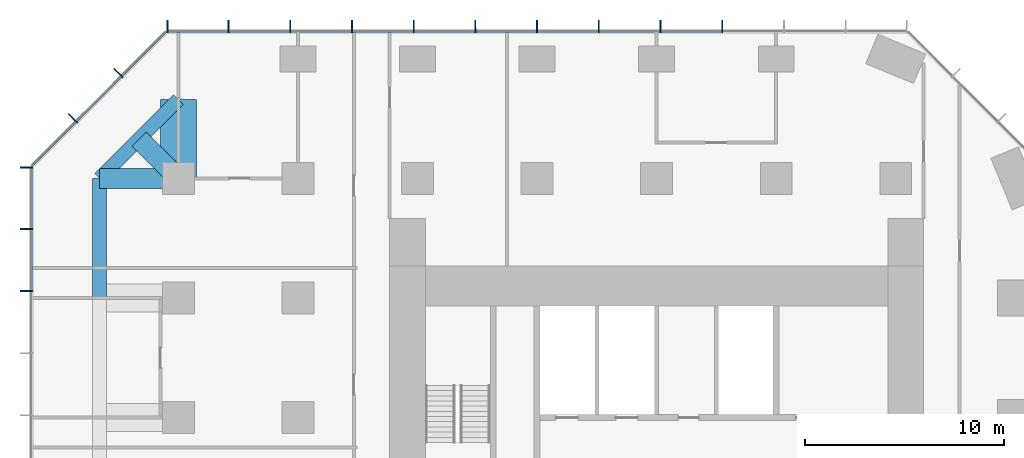
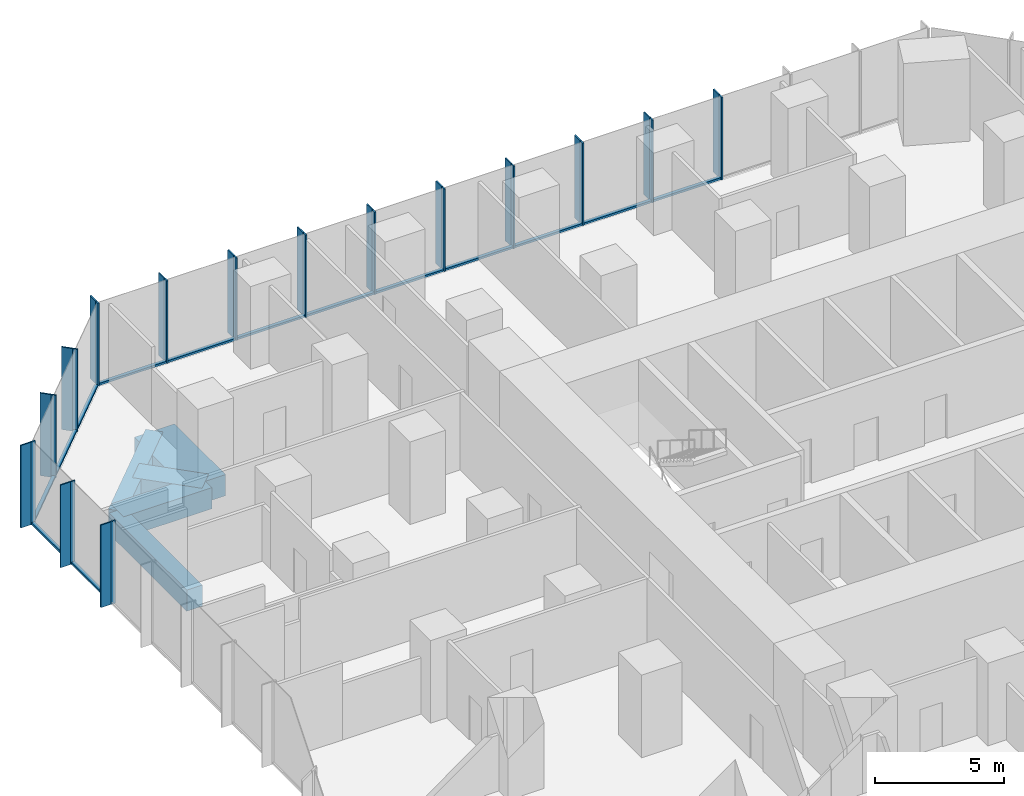
# One storey, part 5 of 11: 44 members, 5 beams, 3 elements without a shape of their own.
"""IFC4 building model written with IfcOpenShell, lengths in metres."""

from ifc_helpers import new_model, si_unit, direction, frame, origin, origin_2d, place, context, subcontext, project, spatial, rectangle, extrude, material, layer, layer_set, material_profile, profile_set, type_object, element, aggregate, save


model = new_model("IFC4")

# Units and contexts
model_context = context("Model", 3, precision=1e-05, world=origin(), true_north=direction((0.0, 1.0)))
body_context = subcontext(model_context, "Body", "Model", "MODEL_VIEW")
ifc_project = project(units=[si_unit("LENGTHUNIT", "METRE"), si_unit("AREAUNIT", "SQUARE_METRE"), si_unit("VOLUMEUNIT", "CUBIC_METRE"), si_unit("PLANEANGLEUNIT", "RADIAN"), si_unit("MASSUNIT", "GRAM", prefix="KILO")], contexts=[model_context])

# Site, building, storey
site_placement = place(None, origin())
site = spatial("IfcSite", under=ifc_project, at=site_placement, CompositionType="ELEMENT")
building_placement = place(site_placement, origin())
building = spatial("IfcBuilding", under=site, at=building_placement, Name="Highveld Stack Headquarters", CompositionType="ELEMENT")
storey_placement = place(building_placement, frame((0.0, 0.0, 125.0)))
storey = spatial("IfcBuildingStorey", under=building, at=storey_placement, Name="L30", CompositionType="ELEMENT", Elevation=125.0)

# Beams
ifc_material_1 = material(Name="Concrete C60/75", Category="concrete")
ifc_material_profile_1 = material_profile(ifc_material_1, rectangle(XDim=1.0, YDim=1.0, at=origin_2d()), Name="RC 1000x1000")
ifc_profile_set_1 = profile_set([ifc_material_profile_1], Name="Concrete C60/75")
beam_type_1 = type_object("IfcBeamType", Name="CANTILEVER RIB RC 1000x1000", PredefinedType="USERDEFINED", material=ifc_profile_set_1)
beam_1_placement = place(storey_placement, frame((-18.0, 18.0, -0.75), z_axis=(-1.0, 0.0, 0.0), x_axis=(0.0, -1.0, 0.0)))
element("IfcBeam", 1, at=beam_1_placement, inside=storey, type_object=beam_type_1, Name="Cantilever rib 3/H L30", ObjectType="CANTILEVER RIB", PredefinedType="USERDEFINED", context=body_context, shape_type="SweptSolid", body=[
    extrude(rectangle(XDim=1.0, YDim=1.0, at=origin_2d()), origin(), (0.0, 0.0, 1.0), 3.949951171875),
])
beam_2_placement = place(storey_placement, frame((-18.0, 18.0, -0.75), z_axis=(-0.707106781187, 0.707106781187, 0.0), x_axis=(-0.707106781187, -0.707106781187, 0.0)))
element("IfcBeam", 2, at=beam_2_placement, inside=storey, type_object=beam_type_1, Name="Cantilever rib 3/H L30", ObjectType="CANTILEVER RIB", PredefinedType="USERDEFINED", context=body_context, shape_type="SweptSolid", body=[
    extrude(rectangle(XDim=1.0, YDim=1.0, at=origin_2d()), origin(), (0.0, 0.0, 1.0), 2.793212890625),
])
ifc_material_2 = material(Name="Concrete C60/75", Category="concrete")
ifc_material_profile_2 = material_profile(ifc_material_2, rectangle(XDim=1.800048828125, YDim=1.0, at=origin_2d()), Name="RC 1800x1000")
ifc_profile_set_2 = profile_set([ifc_material_profile_2], Name="Concrete C60/75")
beam_type_2 = type_object("IfcBeamType", Name="CANTILEVER RIB RC 1800x1000", PredefinedType="USERDEFINED", material=ifc_profile_set_2)
beam_3_placement = place(storey_placement, frame((-18.0, 18.0, -0.75), z_axis=(0.0, 1.0, 0.0), x_axis=(-1.0, 0.0, 0.0)))
element("IfcBeam", 3, at=beam_3_placement, inside=storey, type_object=beam_type_2, Name="Cantilever rib 3/H L30", ObjectType="CANTILEVER RIB", PredefinedType="USERDEFINED", context=body_context, shape_type="SweptSolid", body=[
    extrude(rectangle(XDim=1.800048828125, YDim=1.0, at=origin_2d()), origin(), (0.0, 0.0, 1.0), 3.949951171875),
])

# Curtain wall, members
ifc_material_3 = material(Name="Aluminium bronze anodised", Category="aluminium")
ifc_layer_1 = layer(ifc_material_3, 0.199951171875)
ifc_layer_set_1 = layer_set([ifc_layer_1], Name="Aluminium bronze anodised")
curtain_wall_type_1 = type_object("IfcCurtainWallType", Name="CW1 TOWER UNITISED CURTAIN WALL", PredefinedType="NOTDEFINED", material=ifc_layer_set_1)
curtain_wall_1_placement = place(storey_placement, origin())
curtain_wall_1 = element("IfcCurtainWall", 4, at=curtain_wall_1_placement, inside=storey, type_object=curtain_wall_type_1, Name="Curtain wall CW1 L30 N", PredefinedType="NOTDEFINED")
ifc_material_4 = material(Name="Aluminium bronze anodised", Category="aluminium")
ifc_material_profile_3 = material_profile(ifc_material_4, rectangle(XDim=0.449951171875, YDim=0.06005859375, at=origin_2d()), Name="FIN 450x60")
ifc_profile_set_3 = profile_set([ifc_material_profile_3], Name="Aluminium bronze anodised")
member_type_1 = type_object("IfcMemberType", Name="CW1 BRONZE FIN 450x60", PredefinedType="USERDEFINED", material=ifc_profile_set_3)
member_1_placement = place(storey_placement, frame((9.289794921875, 25.72509765625, 0.0), z_axis=(0.0, 0.0, 1.0), x_axis=(0.0, -1.0, 0.0)))
member_1 = element("IfcMember", 5, at=member_1_placement, type_object=member_type_1, Name="CW1 fin L30 4", ObjectType="FIN", PredefinedType="USERDEFINED", context=body_context, shape_type="SweptSolid", body=[
    extrude(rectangle(XDim=0.449951171875, YDim=0.06005859375, at=origin_2d()), origin(), (0.0, 0.0, 1.0), 3.89990234375),
])
member_2_placement = place(storey_placement, frame((6.193359375, 25.72509765625, 0.0), z_axis=(0.0, 0.0, 1.0), x_axis=(0.0, -1.0, 0.0)))
member_2 = element("IfcMember", 6, at=member_2_placement, type_object=member_type_1, Name="CW1 fin L30 5", ObjectType="FIN", PredefinedType="USERDEFINED", context=body_context, shape_type="SweptSolid", body=[
    extrude(rectangle(XDim=0.449951171875, YDim=0.06005859375, at=origin_2d()), origin(), (0.0, 0.0, 1.0), 3.89990234375),
])
member_3_placement = place(storey_placement, frame((3.0966796875, 25.72509765625, 0.0), z_axis=(0.0, 0.0, 1.0), x_axis=(0.0, -1.0, 0.0)))
member_3 = element("IfcMember", 7, at=member_3_placement, type_object=member_type_1, Name="CW1 fin L30 6", ObjectType="FIN", PredefinedType="USERDEFINED", context=body_context, shape_type="SweptSolid", body=[
    extrude(rectangle(XDim=0.449951171875, YDim=0.06005859375, at=origin_2d()), origin(), (0.0, 0.0, 1.0), 3.89990234375),
])
member_4_placement = place(storey_placement, frame((0.0, 25.72509765625, 0.0), z_axis=(0.0, 0.0, 1.0), x_axis=(0.0, -1.0, 0.0)))
member_4 = element("IfcMember", 8, at=member_4_placement, type_object=member_type_1, Name="CW1 fin L30 7", ObjectType="FIN", PredefinedType="USERDEFINED", context=body_context, shape_type="SweptSolid", body=[
    extrude(rectangle(XDim=0.449951171875, YDim=0.06005859375, at=origin_2d()), origin(), (0.0, 0.0, 1.0), 3.89990234375),
])
member_5_placement = place(storey_placement, frame((-3.0966796875, 25.72509765625, 0.0), z_axis=(0.0, 0.0, 1.0), x_axis=(0.0, -1.0, 0.0)))
member_5 = element("IfcMember", 9, at=member_5_placement, type_object=member_type_1, Name="CW1 fin L30 8", ObjectType="FIN", PredefinedType="USERDEFINED", context=body_context, shape_type="SweptSolid", body=[
    extrude(rectangle(XDim=0.449951171875, YDim=0.06005859375, at=origin_2d()), origin(), (0.0, 0.0, 1.0), 3.89990234375),
])
member_6_placement = place(storey_placement, frame((-6.193359375, 25.72509765625, 0.0), z_axis=(0.0, 0.0, 1.0), x_axis=(0.0, -1.0, 0.0)))
member_6 = element("IfcMember", 10, at=member_6_placement, type_object=member_type_1, Name="CW1 fin L30 9", ObjectType="FIN", PredefinedType="USERDEFINED", context=body_context, shape_type="SweptSolid", body=[
    extrude(rectangle(XDim=0.449951171875, YDim=0.06005859375, at=origin_2d()), origin(), (0.0, 0.0, 1.0), 3.89990234375),
])
member_7_placement = place(storey_placement, frame((-9.2900390625, 25.72509765625, 0.0), z_axis=(0.0, 0.0, 1.0), x_axis=(0.0, -1.0, 0.0)))
member_7 = element("IfcMember", 11, at=member_7_placement, type_object=member_type_1, Name="CW1 fin L30 10", ObjectType="FIN", PredefinedType="USERDEFINED", context=body_context, shape_type="SweptSolid", body=[
    extrude(rectangle(XDim=0.449951171875, YDim=0.06005859375, at=origin_2d()), origin(), (0.0, 0.0, 1.0), 3.89990234375),
])
member_8_placement = place(storey_placement, frame((-12.38671875, 25.72509765625, 0.0), z_axis=(0.0, 0.0, 1.0), x_axis=(0.0, -1.0, 0.0)))
member_8 = element("IfcMember", 12, at=member_8_placement, type_object=member_type_1, Name="CW1 fin L30 11", ObjectType="FIN", PredefinedType="USERDEFINED", context=body_context, shape_type="SweptSolid", body=[
    extrude(rectangle(XDim=0.449951171875, YDim=0.06005859375, at=origin_2d()), origin(), (0.0, 0.0, 1.0), 3.89990234375),
])
member_9_placement = place(storey_placement, frame((-15.4833984375, 25.72509765625, 0.0), z_axis=(0.0, 0.0, 1.0), x_axis=(0.0, -1.0, 0.0)))
member_9 = element("IfcMember", 13, at=member_9_placement, type_object=member_type_1, Name="CW1 fin L30 12", ObjectType="FIN", PredefinedType="USERDEFINED", context=body_context, shape_type="SweptSolid", body=[
    extrude(rectangle(XDim=0.449951171875, YDim=0.06005859375, at=origin_2d()), origin(), (0.0, 0.0, 1.0), 3.89990234375),
])
member_10_placement = place(storey_placement, frame((-18.54736328125, 25.72509765625, 0.0), z_axis=(0.0, 0.0, 1.0), x_axis=(0.0, -1.0, 0.0)))
member_10 = element("IfcMember", 14, at=member_10_placement, type_object=member_type_1, Name="CW1 fin L30 13", ObjectType="FIN", PredefinedType="USERDEFINED", context=body_context, shape_type="SweptSolid", body=[
    extrude(rectangle(XDim=0.449951171875, YDim=0.06005859375, at=origin_2d()), origin(), (0.0, 0.0, 1.0), 3.89990234375),
])

curtain_wall_2_placement = place(storey_placement, origin())
curtain_wall_2 = element("IfcCurtainWall", 15, at=curtain_wall_2_placement, inside=storey, type_object=curtain_wall_type_1, Name="Curtain wall CW1 L30 W", PredefinedType="NOTDEFINED")
member_11_placement = place(storey_placement, frame((-25.72509765625, 18.54736328125, 0.0), z_axis=(0.0, 0.0, 1.0), x_axis=(1.0, 0.0, 0.0)))
member_11 = element("IfcMember", 16, at=member_11_placement, type_object=member_type_1, Name="CW1 fin L30 1", ObjectType="FIN", PredefinedType="USERDEFINED", context=body_context, shape_type="SweptSolid", body=[
    extrude(rectangle(XDim=0.449951171875, YDim=0.06005859375, at=origin_2d()), origin(), (0.0, 0.0, 1.0), 3.89990234375),
])
member_12_placement = place(storey_placement, frame((-25.72509765625, 15.4638671875, 0.0), z_axis=(0.0, 0.0, 1.0), x_axis=(1.0, 0.0, 0.0)))
member_12 = element("IfcMember", 17, at=member_12_placement, type_object=member_type_1, Name="CW1 fin L30 2", ObjectType="FIN", PredefinedType="USERDEFINED", context=body_context, shape_type="SweptSolid", body=[
    extrude(rectangle(XDim=0.449951171875, YDim=0.06005859375, at=origin_2d()), origin(), (0.0, 0.0, 1.0), 3.89990234375),
])
member_13_placement = place(storey_placement, frame((-25.72509765625, 12.347900390625, 0.0), z_axis=(0.0, 0.0, 1.0), x_axis=(1.0, 0.0, 0.0)))
member_13 = element("IfcMember", 18, at=member_13_placement, type_object=member_type_1, Name="CW1 fin L30 3", ObjectType="FIN", PredefinedType="USERDEFINED", context=body_context, shape_type="SweptSolid", body=[
    extrude(rectangle(XDim=0.449951171875, YDim=0.06005859375, at=origin_2d()), origin(), (0.0, 0.0, 1.0), 3.89990234375),
])

# Member
ifc_material_5 = material(Name="Aluminium bronze anodised", Category="aluminium")
ifc_material_profile_4 = material_profile(ifc_material_5, rectangle(XDim=0.199951171875, YDim=0.06494140625, at=origin_2d()), Name="CW1 MULLION 65x200")
ifc_profile_set_4 = profile_set([ifc_material_profile_4], Name="Aluminium bronze anodised")
member_type_2 = type_object("IfcMemberType", Name="CW1 MULLION 65x200", PredefinedType="MULLION", material=ifc_profile_set_4)
member_14_placement = place(storey_placement, frame((9.289794921875, 25.39990234375, 0.0), z_axis=(0.0, 0.0, 1.0), x_axis=(0.0, -1.0, 0.0)))
member_14 = element("IfcMember", 19, at=member_14_placement, type_object=member_type_2, Name="CW1 mullion L30 4", PredefinedType="MULLION", context=body_context, shape_type="SweptSolid", body=[
    extrude(rectangle(XDim=0.199951171875, YDim=0.06494140625, at=origin_2d()), origin(), (0.0, 0.0, 1.0), 3.89990234375),
])

member_15_placement = place(storey_placement, frame((6.193359375, 25.39990234375, 0.0), z_axis=(0.0, 0.0, 1.0), x_axis=(0.0, -1.0, 0.0)))
member_15 = element("IfcMember", 20, at=member_15_placement, type_object=member_type_2, Name="CW1 mullion L30 5", PredefinedType="MULLION", context=body_context, shape_type="SweptSolid", body=[
    extrude(rectangle(XDim=0.199951171875, YDim=0.06494140625, at=origin_2d()), origin(), (0.0, 0.0, 1.0), 3.89990234375),
])

member_16_placement = place(storey_placement, frame((3.0966796875, 25.39990234375, 0.0), z_axis=(0.0, 0.0, 1.0), x_axis=(0.0, -1.0, 0.0)))
member_16 = element("IfcMember", 21, at=member_16_placement, type_object=member_type_2, Name="CW1 mullion L30 6", PredefinedType="MULLION", context=body_context, shape_type="SweptSolid", body=[
    extrude(rectangle(XDim=0.199951171875, YDim=0.06494140625, at=origin_2d()), origin(), (0.0, 0.0, 1.0), 3.89990234375),
])

member_17_placement = place(storey_placement, frame((0.0, 25.39990234375, 0.0), z_axis=(0.0, 0.0, 1.0), x_axis=(0.0, -1.0, 0.0)))
member_17 = element("IfcMember", 22, at=member_17_placement, type_object=member_type_2, Name="CW1 mullion L30 7", PredefinedType="MULLION", context=body_context, shape_type="SweptSolid", body=[
    extrude(rectangle(XDim=0.199951171875, YDim=0.06494140625, at=origin_2d()), origin(), (0.0, 0.0, 1.0), 3.89990234375),
])

member_18_placement = place(storey_placement, frame((-3.0966796875, 25.39990234375, 0.0), z_axis=(0.0, 0.0, 1.0), x_axis=(0.0, -1.0, 0.0)))
member_18 = element("IfcMember", 23, at=member_18_placement, type_object=member_type_2, Name="CW1 mullion L30 8", PredefinedType="MULLION", context=body_context, shape_type="SweptSolid", body=[
    extrude(rectangle(XDim=0.199951171875, YDim=0.06494140625, at=origin_2d()), origin(), (0.0, 0.0, 1.0), 3.89990234375),
])

member_19_placement = place(storey_placement, frame((-6.193359375, 25.39990234375, 0.0), z_axis=(0.0, 0.0, 1.0), x_axis=(0.0, -1.0, 0.0)))
member_19 = element("IfcMember", 24, at=member_19_placement, type_object=member_type_2, Name="CW1 mullion L30 9", PredefinedType="MULLION", context=body_context, shape_type="SweptSolid", body=[
    extrude(rectangle(XDim=0.199951171875, YDim=0.06494140625, at=origin_2d()), origin(), (0.0, 0.0, 1.0), 3.89990234375),
])

member_20_placement = place(storey_placement, frame((-9.2900390625, 25.39990234375, 0.0), z_axis=(0.0, 0.0, 1.0), x_axis=(0.0, -1.0, 0.0)))
member_20 = element("IfcMember", 25, at=member_20_placement, type_object=member_type_2, Name="CW1 mullion L30 10", PredefinedType="MULLION", context=body_context, shape_type="SweptSolid", body=[
    extrude(rectangle(XDim=0.199951171875, YDim=0.06494140625, at=origin_2d()), origin(), (0.0, 0.0, 1.0), 3.89990234375),
])

member_21_placement = place(storey_placement, frame((-12.38671875, 25.39990234375, 0.0), z_axis=(0.0, 0.0, 1.0), x_axis=(0.0, -1.0, 0.0)))
member_21 = element("IfcMember", 26, at=member_21_placement, type_object=member_type_2, Name="CW1 mullion L30 11", PredefinedType="MULLION", context=body_context, shape_type="SweptSolid", body=[
    extrude(rectangle(XDim=0.199951171875, YDim=0.06494140625, at=origin_2d()), origin(), (0.0, 0.0, 1.0), 3.89990234375),
])

member_22_placement = place(storey_placement, frame((-15.4833984375, 25.39990234375, 0.0), z_axis=(0.0, 0.0, 1.0), x_axis=(0.0, -1.0, 0.0)))
member_22 = element("IfcMember", 27, at=member_22_placement, type_object=member_type_2, Name="CW1 mullion L30 12", PredefinedType="MULLION", context=body_context, shape_type="SweptSolid", body=[
    extrude(rectangle(XDim=0.199951171875, YDim=0.06494140625, at=origin_2d()), origin(), (0.0, 0.0, 1.0), 3.89990234375),
])

member_23_placement = place(storey_placement, frame((-18.54736328125, 25.39990234375, 0.0), z_axis=(0.0, 0.0, 1.0), x_axis=(0.0, -1.0, 0.0)))
member_23 = element("IfcMember", 28, at=member_23_placement, type_object=member_type_2, Name="CW1 mullion L30 13", PredefinedType="MULLION", context=body_context, shape_type="SweptSolid", body=[
    extrude(rectangle(XDim=0.199951171875, YDim=0.06494140625, at=origin_2d()), origin(), (0.0, 0.0, 1.0), 3.89990234375),
])

member_24_placement = place(storey_placement, frame((-25.39990234375, 18.54736328125, 0.0), z_axis=(0.0, 0.0, 1.0), x_axis=(1.0, 0.0, 0.0)))
member_24 = element("IfcMember", 29, at=member_24_placement, type_object=member_type_2, Name="CW1 mullion L30 1", PredefinedType="MULLION", context=body_context, shape_type="SweptSolid", body=[
    extrude(rectangle(XDim=0.199951171875, YDim=0.06494140625, at=origin_2d()), origin(), (0.0, 0.0, 1.0), 3.89990234375),
])

member_25_placement = place(storey_placement, frame((-25.39990234375, 15.4638671875, 0.0), z_axis=(0.0, 0.0, 1.0), x_axis=(1.0, 0.0, 0.0)))
member_25 = element("IfcMember", 30, at=member_25_placement, type_object=member_type_2, Name="CW1 mullion L30 2", PredefinedType="MULLION", context=body_context, shape_type="SweptSolid", body=[
    extrude(rectangle(XDim=0.199951171875, YDim=0.06494140625, at=origin_2d()), origin(), (0.0, 0.0, 1.0), 3.89990234375),
])

member_26_placement = place(storey_placement, frame((-25.39990234375, 12.347900390625, 0.0), z_axis=(0.0, 0.0, 1.0), x_axis=(1.0, 0.0, 0.0)))
member_26 = element("IfcMember", 31, at=member_26_placement, type_object=member_type_2, Name="CW1 mullion L30 3", PredefinedType="MULLION", context=body_context, shape_type="SweptSolid", body=[
    extrude(rectangle(XDim=0.199951171875, YDim=0.06494140625, at=origin_2d()), origin(), (0.0, 0.0, 1.0), 3.89990234375),
])

ifc_material_6 = material(Name="Aluminium bronze anodised", Category="aluminium")
ifc_material_profile_5 = material_profile(ifc_material_6, rectangle(XDim=0.14990234375, YDim=0.10009765625, at=origin_2d()), Name="CW1 TRANSOM 150x100")
ifc_profile_set_5 = profile_set([ifc_material_profile_5], Name="Aluminium bronze anodised")
member_type_3 = type_object("IfcMemberType", Name="CW1 STACK TRANSOM 150x100", PredefinedType="USERDEFINED", material=ifc_profile_set_5)
member_27_placement = place(storey_placement, frame((9.25732421875, 25.39990234375, 0.050048828125), z_axis=(-1.0, 0.0, 0.0), x_axis=(0.0, -1.0, 0.0)))
member_27 = element("IfcMember", 32, at=member_27_placement, type_object=member_type_3, Name="CW1 transom L30 4.1", ObjectType="TRANSOM", PredefinedType="USERDEFINED", context=body_context, shape_type="SweptSolid", body=[
    extrude(rectangle(XDim=0.14990234375, YDim=0.10009765625, at=origin_2d()), origin(), (0.0, 0.0, 1.0), 3.031494140625),
])

member_28_placement = place(storey_placement, frame((6.160888671875, 25.39990234375, 0.050048828125), z_axis=(-1.0, 0.0, 0.0), x_axis=(0.0, -1.0, 0.0)))
member_28 = element("IfcMember", 33, at=member_28_placement, type_object=member_type_3, Name="CW1 transom L30 5.1", ObjectType="TRANSOM", PredefinedType="USERDEFINED", context=body_context, shape_type="SweptSolid", body=[
    extrude(rectangle(XDim=0.14990234375, YDim=0.10009765625, at=origin_2d()), origin(), (0.0, 0.0, 1.0), 3.03173828125),
])

member_29_placement = place(storey_placement, frame((3.064208984375, 25.39990234375, 0.050048828125), z_axis=(-1.0, 0.0, 0.0), x_axis=(0.0, -1.0, 0.0)))
member_29 = element("IfcMember", 34, at=member_29_placement, type_object=member_type_3, Name="CW1 transom L30 6.1", ObjectType="TRANSOM", PredefinedType="USERDEFINED", context=body_context, shape_type="SweptSolid", body=[
    extrude(rectangle(XDim=0.14990234375, YDim=0.10009765625, at=origin_2d()), origin(), (0.0, 0.0, 1.0), 3.03173828125),
])

member_30_placement = place(storey_placement, frame((-0.032470703125, 25.39990234375, 0.050048828125), z_axis=(-1.0, 0.0, 0.0), x_axis=(0.0, -1.0, 0.0)))
member_30 = element("IfcMember", 35, at=member_30_placement, type_object=member_type_3, Name="CW1 transom L30 7.1", ObjectType="TRANSOM", PredefinedType="USERDEFINED", context=body_context, shape_type="SweptSolid", body=[
    extrude(rectangle(XDim=0.14990234375, YDim=0.10009765625, at=origin_2d()), origin(), (0.0, 0.0, 1.0), 3.03173828125),
])

member_31_placement = place(storey_placement, frame((-3.129150390625, 25.39990234375, 0.050048828125), z_axis=(-1.0, 0.0, 0.0), x_axis=(0.0, -1.0, 0.0)))
member_31 = element("IfcMember", 36, at=member_31_placement, type_object=member_type_3, Name="CW1 transom L30 8.1", ObjectType="TRANSOM", PredefinedType="USERDEFINED", context=body_context, shape_type="SweptSolid", body=[
    extrude(rectangle(XDim=0.14990234375, YDim=0.10009765625, at=origin_2d()), origin(), (0.0, 0.0, 1.0), 3.03173828125),
])

member_32_placement = place(storey_placement, frame((-6.225830078125, 25.39990234375, 0.050048828125), z_axis=(-1.0, 0.0, 0.0), x_axis=(0.0, -1.0, 0.0)))
member_32 = element("IfcMember", 37, at=member_32_placement, type_object=member_type_3, Name="CW1 transom L30 9.1", ObjectType="TRANSOM", PredefinedType="USERDEFINED", context=body_context, shape_type="SweptSolid", body=[
    extrude(rectangle(XDim=0.14990234375, YDim=0.10009765625, at=origin_2d()), origin(), (0.0, 0.0, 1.0), 3.03173828125),
])

member_33_placement = place(storey_placement, frame((-9.322509765625, 25.39990234375, 0.050048828125), z_axis=(-1.0, 0.0, 0.0), x_axis=(0.0, -1.0, 0.0)))
member_33 = element("IfcMember", 38, at=member_33_placement, type_object=member_type_3, Name="CW1 transom L30 10.1", ObjectType="TRANSOM", PredefinedType="USERDEFINED", context=body_context, shape_type="SweptSolid", body=[
    extrude(rectangle(XDim=0.14990234375, YDim=0.10009765625, at=origin_2d()), origin(), (0.0, 0.0, 1.0), 3.031494140625),
])

member_34_placement = place(storey_placement, frame((-12.419189453125, 25.39990234375, 0.050048828125), z_axis=(-1.0, 0.0, 0.0), x_axis=(0.0, -1.0, 0.0)))
member_34 = element("IfcMember", 39, at=member_34_placement, type_object=member_type_3, Name="CW1 transom L30 11.1", ObjectType="TRANSOM", PredefinedType="USERDEFINED", context=body_context, shape_type="SweptSolid", body=[
    extrude(rectangle(XDim=0.14990234375, YDim=0.10009765625, at=origin_2d()), origin(), (0.0, 0.0, 1.0), 3.031494140625),
])

member_35_placement = place(storey_placement, frame((-15.515869140625, 25.39990234375, 0.050048828125), z_axis=(-1.0, 0.0, 0.0), x_axis=(0.0, -1.0, 0.0)))
member_35 = element("IfcMember", 40, at=member_35_placement, type_object=member_type_3, Name="CW1 transom L30 12.1", ObjectType="TRANSOM", PredefinedType="USERDEFINED", context=body_context, shape_type="SweptSolid", body=[
    extrude(rectangle(XDim=0.14990234375, YDim=0.10009765625, at=origin_2d()), origin(), (0.0, 0.0, 1.0), 2.9990234375),
])

aggregate(curtain_wall_1, [member_14, member_1, member_15, member_2, member_16, member_3, member_17, member_4, member_18, member_5, member_19, member_6, member_20, member_7, member_21, member_8, member_22, member_9, member_23, member_10, member_27, member_28, member_29, member_30, member_31, member_32, member_33, member_34, member_35])

member_36_placement = place(storey_placement, frame((-25.39990234375, 18.514892578125, 0.050048828125), z_axis=(0.0, -1.0, 0.0), x_axis=(1.0, 0.0, 0.0)))
member_36 = element("IfcMember", 41, at=member_36_placement, type_object=member_type_3, Name="CW1 transom L30 1.1", ObjectType="TRANSOM", PredefinedType="USERDEFINED", context=body_context, shape_type="SweptSolid", body=[
    extrude(rectangle(XDim=0.14990234375, YDim=0.10009765625, at=origin_2d()), origin(), (0.0, 0.0, 1.0), 3.0185546875),
])

member_37_placement = place(storey_placement, frame((-25.39990234375, 15.431396484375, 0.050048828125), z_axis=(0.0, -1.0, 0.0), x_axis=(1.0, 0.0, 0.0)))
member_37 = element("IfcMember", 42, at=member_37_placement, type_object=member_type_3, Name="CW1 transom L30 2.1", ObjectType="TRANSOM", PredefinedType="USERDEFINED", context=body_context, shape_type="SweptSolid", body=[
    extrude(rectangle(XDim=0.14990234375, YDim=0.10009765625, at=origin_2d()), origin(), (0.0, 0.0, 1.0), 3.051025390625),
])

aggregate(curtain_wall_2, [member_24, member_11, member_25, member_12, member_26, member_13, member_36, member_37])

# Curtain wall, members
ifc_material_7 = material(Name="Aluminium bronze anodised", Category="aluminium")
ifc_layer_2 = layer(ifc_material_7, 0.199951171875)
ifc_layer_set_2 = layer_set([ifc_layer_2], Name="Aluminium bronze anodised")
curtain_wall_type_2 = type_object("IfcCurtainWallType", Name="CW2 TOWER CHAMFER UNITISED CURTAIN WALL", PredefinedType="NOTDEFINED", material=ifc_layer_set_2)
curtain_wall_3_placement = place(storey_placement, origin())
curtain_wall_3 = element("IfcCurtainWall", 43, at=curtain_wall_3_placement, inside=storey, type_object=curtain_wall_type_2, Name="Curtain wall CW2 L30 NW", PredefinedType="NOTDEFINED")
ifc_material_8 = material(Name="Aluminium bronze anodised", Category="aluminium")
ifc_material_profile_6 = material_profile(ifc_material_8, rectangle(XDim=0.449951171875, YDim=0.06005859375, at=origin_2d()), Name="FIN 450x60")
ifc_profile_set_6 = profile_set([ifc_material_profile_6], Name="Aluminium bronze anodised")
member_type_4 = type_object("IfcMemberType", Name="CW2 BRONZE FIN 450x60", PredefinedType="USERDEFINED", material=ifc_profile_set_6)
member_38_placement = place(storey_placement, frame((-21.0830078125, 23.3564453125, 0.0), z_axis=(0.0, 0.0, 1.0), x_axis=(0.707106781187, -0.707106781187, 0.0)))
member_38 = element("IfcMember", 44, at=member_38_placement, type_object=member_type_4, Name="CW2 fin L30 1", ObjectType="FIN", PredefinedType="USERDEFINED", context=body_context, shape_type="SweptSolid", body=[
    extrude(rectangle(XDim=0.449951171875, YDim=0.06005859375, at=origin_2d()), origin(), (0.0, 0.0, 1.0), 3.89990234375),
])
member_39_placement = place(storey_placement, frame((-23.3564453125, 21.0830078125, 0.0), z_axis=(0.0, 0.0, 1.0), x_axis=(0.707106781187, -0.707106781187, 0.0)))
member_39 = element("IfcMember", 45, at=member_39_placement, type_object=member_type_4, Name="CW2 fin L30 2", ObjectType="FIN", PredefinedType="USERDEFINED", context=body_context, shape_type="SweptSolid", body=[
    extrude(rectangle(XDim=0.449951171875, YDim=0.06005859375, at=origin_2d()), origin(), (0.0, 0.0, 1.0), 3.89990234375),
])
ifc_material_9 = material(Name="Aluminium bronze anodised", Category="aluminium")
ifc_material_profile_7 = material_profile(ifc_material_9, rectangle(XDim=0.199951171875, YDim=0.06494140625, at=origin_2d()), Name="CW2 MULLION 65x200")
ifc_profile_set_7 = profile_set([ifc_material_profile_7], Name="Aluminium bronze anodised")
member_type_5 = type_object("IfcMemberType", Name="CW2 MULLION 65x200", PredefinedType="MULLION", material=ifc_profile_set_7)
member_40_placement = place(storey_placement, frame((-20.853271484375, 23.126708984375, 0.0), z_axis=(0.0, 0.0, 1.0), x_axis=(0.707106781187, -0.707106781187, 0.0)))
member_40 = element("IfcMember", 46, at=member_40_placement, type_object=member_type_5, Name="CW2 mullion L30 1", PredefinedType="MULLION", context=body_context, shape_type="SweptSolid", body=[
    extrude(rectangle(XDim=0.199951171875, YDim=0.06494140625, at=origin_2d()), origin(), (0.0, 0.0, 1.0), 3.89990234375),
])
member_41_placement = place(storey_placement, frame((-23.126708984375, 20.853271484375, 0.0), z_axis=(0.0, 0.0, 1.0), x_axis=(0.707106781187, -0.707106781187, 0.0)))
member_41 = element("IfcMember", 47, at=member_41_placement, type_object=member_type_5, Name="CW2 mullion L30 2", PredefinedType="MULLION", context=body_context, shape_type="SweptSolid", body=[
    extrude(rectangle(XDim=0.199951171875, YDim=0.06494140625, at=origin_2d()), origin(), (0.0, 0.0, 1.0), 3.89990234375),
])
ifc_material_10 = material(Name="Aluminium bronze anodised", Category="aluminium")
ifc_material_profile_8 = material_profile(ifc_material_10, rectangle(XDim=0.14990234375, YDim=0.10009765625, at=origin_2d()), Name="CW2 TRANSOM 150x100")
ifc_profile_set_8 = profile_set([ifc_material_profile_8], Name="Aluminium bronze anodised")
member_type_6 = type_object("IfcMemberType", Name="CW2 STACK TRANSOM 150x100", PredefinedType="USERDEFINED", material=ifc_profile_set_8)
member_42_placement = place(storey_placement, frame((-18.650634765625, 25.329345703125, 0.050048828125), z_axis=(-0.707106781187, -0.707106781187, 0.0), x_axis=(0.707106781187, -0.707106781187, 0.0)))
member_42 = element("IfcMember", 48, at=member_42_placement, type_object=member_type_6, Name="CW2 transom L30 1.1", ObjectType="TRANSOM", PredefinedType="USERDEFINED", context=body_context, shape_type="SweptSolid", body=[
    extrude(rectangle(XDim=0.14990234375, YDim=0.10009765625, at=origin_2d()), origin(), (0.0, 0.0, 1.0), 3.08251953125),
])
member_43_placement = place(storey_placement, frame((-20.876220703125, 23.103759765625, 0.050048828125), z_axis=(-0.707106781187, -0.707106781187, 0.0), x_axis=(0.707106781187, -0.707106781187, 0.0)))
member_43 = element("IfcMember", 49, at=member_43_placement, type_object=member_type_6, Name="CW2 transom L30 2.1", ObjectType="TRANSOM", PredefinedType="USERDEFINED", context=body_context, shape_type="SweptSolid", body=[
    extrude(rectangle(XDim=0.14990234375, YDim=0.10009765625, at=origin_2d()), origin(), (0.0, 0.0, 1.0), 3.150146484375),
])
member_44_placement = place(storey_placement, frame((-23.149658203125, 20.830322265625, 0.050048828125), z_axis=(-0.707106781187, -0.707106781187, 0.0), x_axis=(0.707106781187, -0.707106781187, 0.0)))
member_44 = element("IfcMember", 50, at=member_44_placement, type_object=member_type_6, Name="CW2 transom L30 3.1", ObjectType="TRANSOM", PredefinedType="USERDEFINED", context=body_context, shape_type="SweptSolid", body=[
    extrude(rectangle(XDim=0.14990234375, YDim=0.10009765625, at=origin_2d()), origin(), (0.0, 0.0, 1.0), 3.08251953125),
])
aggregate(curtain_wall_3, [member_40, member_38, member_41, member_39, member_42, member_43, member_44])

# Beams
ifc_material_11 = material(Name="Concrete C60/75", Category="concrete")
ifc_material_profile_9 = material_profile(ifc_material_11, rectangle(XDim=0.699951171875, YDim=1.0, at=origin_2d()), Name="RC 700x1000")
ifc_profile_set_9 = profile_set([ifc_material_profile_9], Name="Concrete C60/75")
beam_type_3 = type_object("IfcBeamType", Name="RIB TIP BEAM RC 700x1000", PredefinedType="SPANDREL", material=ifc_profile_set_9)
beam_4_placement = place(storey_placement, frame((-21.949951171875, 12.0, -0.75), z_axis=(0.0, 1.0, 0.0), x_axis=(-1.0, 0.0, 0.0)))
element("IfcBeam", 51, at=beam_4_placement, inside=storey, type_object=beam_type_3, Name="Rib tip beam 3/G to 3/H L30", PredefinedType="SPANDREL", context=body_context, shape_type="SweptSolid", body=[
    extrude(rectangle(XDim=0.699951171875, YDim=1.0, at=origin_2d()), origin(), (0.0, 0.0, 1.0), 6.0),
])
beam_5_placement = place(storey_placement, frame((-21.949951171875, 18.0, -0.75), z_axis=(0.707106781187, 0.707106781187, 0.0), x_axis=(-0.707106781187, 0.707106781187, 0.0)))
element("IfcBeam", 52, at=beam_5_placement, inside=storey, type_object=beam_type_3, Name="Rib tip beam 3/H corner L30", PredefinedType="SPANDREL", context=body_context, shape_type="SweptSolid", body=[
    extrude(rectangle(XDim=0.699951171875, YDim=1.0, at=origin_2d()), origin(), (0.0, 0.0, 1.0), 5.586181640625),
])

save(model, "model.ifc")
